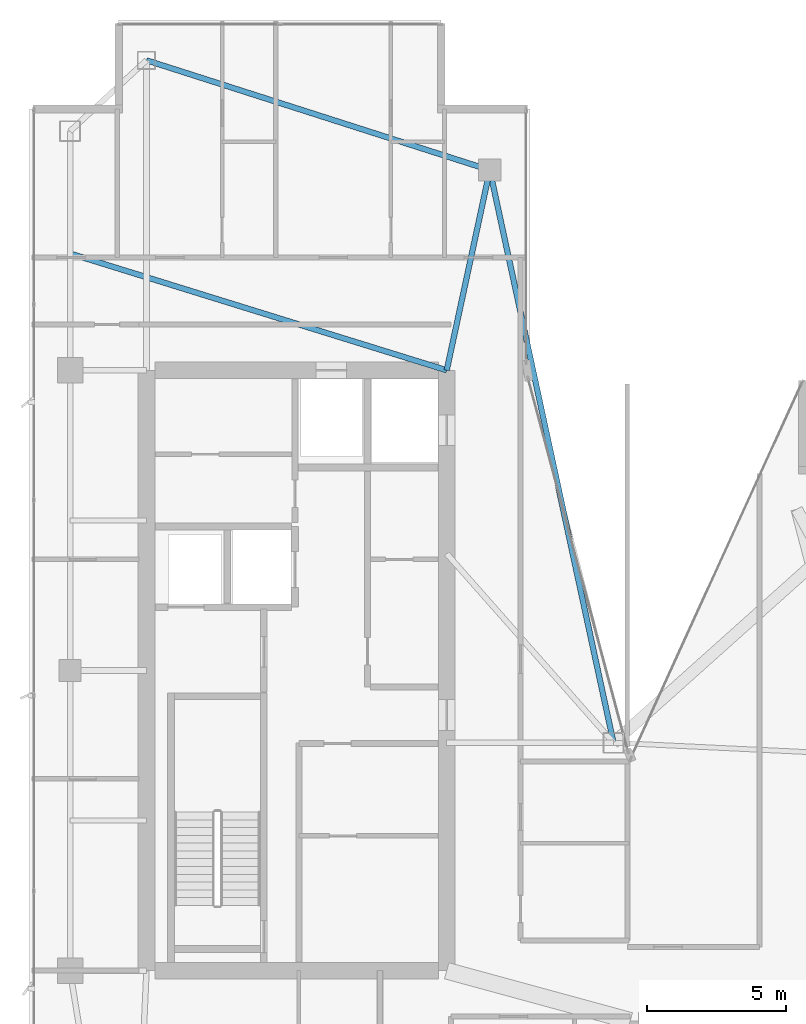
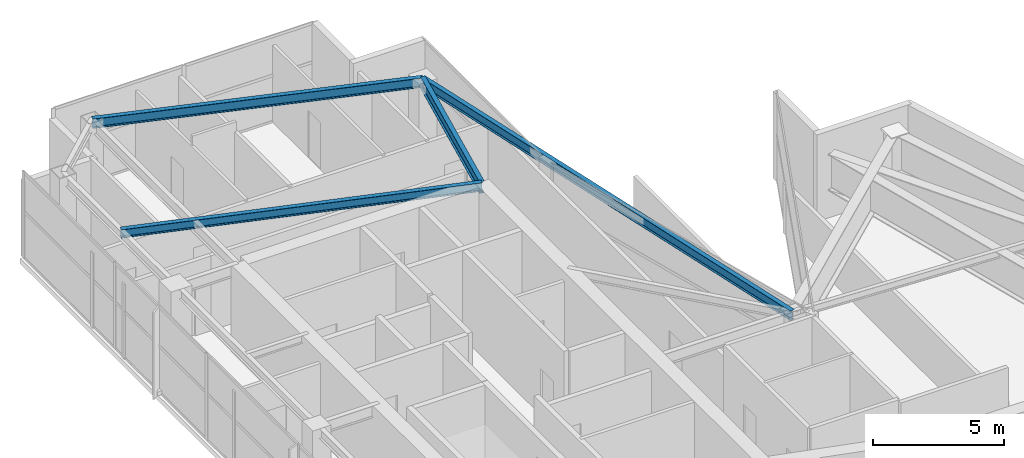
# One storey, part 17 of 26: 4 beams.
"""IFC4 building model written with IfcOpenShell, lengths in metres."""

from ifc_helpers import new_model, si_unit, direction, frame, origin, origin_2d, place, context, subcontext, project, spatial, i_section, extrude, material, material_profile, profile_set, type_object, element, save


model = new_model("IFC4")

# Units and contexts
model_context = context("Model", 3, precision=1e-05, world=origin(), true_north=direction((0.0, 1.0)))
body_context = subcontext(model_context, "Body", "Model", "MODEL_VIEW")
ifc_project = project(units=[si_unit("LENGTHUNIT", "METRE"), si_unit("AREAUNIT", "SQUARE_METRE"), si_unit("VOLUMEUNIT", "CUBIC_METRE"), si_unit("PLANEANGLEUNIT", "RADIAN"), si_unit("MASSUNIT", "GRAM", prefix="KILO")], contexts=[model_context])

# Site, building, storey
site_placement = place(None, origin())
site = spatial("IfcSite", under=ifc_project, at=site_placement, CompositionType="ELEMENT")
building_placement = place(site_placement, origin())
building = spatial("IfcBuilding", under=site, at=building_placement, Name="Calvorn Quay Hotel", CompositionType="ELEMENT")
storey_placement = place(building_placement, frame((0.0, 0.0, 302.5)))
storey = spatial("IfcBuildingStorey", under=building, at=storey_placement, Name="L75", CompositionType="ELEMENT", Elevation=302.5)

# Beams
ifc_material_1 = material(Name="Steel Q355B", Category="steel")
ifc_material_profile_1 = material_profile(ifc_material_1, i_section(OverallWidth=0.199951171875, OverallDepth=0.550048828125, WebThickness=0.010009765625, FlangeThickness=0.01611328125, FilletRadius=0.01806640625, at=origin_2d()), Name="HN550x200x10x16")
ifc_profile_set_1 = profile_set([ifc_material_profile_1], Name="Steel Q355B")
beam_type_1 = type_object("IfcBeamType", Name="BM-GIRD-UPP", PredefinedType="BEAM", material=ifc_profile_set_1)
beam_1_placement = place(storey_placement, frame((16.550048828125, 45.60009765625, 3.77490234375), z_axis=(-0.210457140491, -0.97760308511, 0.0), x_axis=(0.97760308511, -0.210457140491, 0.0)))
element("IfcBeam", 1, at=beam_1_placement, inside=storey, type_object=beam_type_1, Name="Beam BG-L75-W6", PredefinedType="BEAM", context=body_context, shape_type="SweptSolid", body=[
    extrude(i_section(OverallWidth=0.199951171875, OverallDepth=0.550048828125, WebThickness=0.010009765625, FlangeThickness=0.01611328125, FilletRadius=0.01806640625, at=origin_2d()), origin(), (0.0, 0.0, 1.0), 7.365234375),
])
ifc_material_2 = material(Name="Steel Q355B", Category="steel")
ifc_material_profile_2 = material_profile(ifc_material_2, i_section(OverallWidth=0.199951171875, OverallDepth=0.39990234375, WebThickness=0.008056640625, FlangeThickness=0.012939453125, FilletRadius=0.01611328125, at=origin_2d()), Name="HN400x200x8x13")
ifc_profile_set_2 = profile_set([ifc_material_profile_2], Name="Steel Q355B")
beam_type_2 = type_object("IfcBeamType", Name="BM-JOIST-TYP", PredefinedType="JOIST", material=ifc_profile_set_2)
beam_2_placement = place(storey_placement, frame((1.449951171875, 42.60009765625, 3.85009765625), z_axis=(0.955163702122, -0.296078202759, 0.0), x_axis=(0.296078202759, 0.955163702122, 0.0)))
element("IfcBeam", 2, at=beam_2_placement, inside=storey, type_object=beam_type_2, Name="Beam BJ-L75-W2", PredefinedType="JOIST", context=body_context, shape_type="SweptSolid", body=[
    extrude(i_section(OverallWidth=0.199951171875, OverallDepth=0.39990234375, WebThickness=0.008056640625, FlangeThickness=0.012939453125, FilletRadius=0.01611328125, at=origin_2d()), origin(), (0.0, 0.0, 1.0), 14.18603515625),
])
ifc_material_3 = material(Name="Steel Q355B", Category="steel")
ifc_material_profile_3 = material_profile(ifc_material_3, i_section(OverallWidth=0.199951171875, OverallDepth=0.449951171875, WebThickness=0.009033203125, FlangeThickness=0.013916015625, FilletRadius=0.01611328125, at=origin_2d()), Name="HN450x200x9x14")
ifc_profile_set_3 = profile_set([ifc_material_profile_3], Name="Steel Q355B")
beam_type_3 = type_object("IfcBeamType", Name="BM-SPANDREL-Z3", PredefinedType="SPANDREL", material=ifc_profile_set_3)
beam_3_placement = place(storey_placement, frame((4.199951171875, 49.550048828125, 3.824951171875), z_axis=(0.952470702374, -0.304630203885, 0.0), x_axis=(0.304630203885, 0.952470702374, 0.0)))
element("IfcBeam", 3, at=beam_3_placement, inside=storey, type_object=beam_type_3, Name="Beam BSP-L75-W6", PredefinedType="SPANDREL", context=body_context, shape_type="SweptSolid", body=[
    extrude(i_section(OverallWidth=0.199951171875, OverallDepth=0.449951171875, WebThickness=0.009033203125, FlangeThickness=0.013916015625, FilletRadius=0.01611328125, at=origin_2d()), origin(), (0.0, 0.0, 1.0), 12.96630859375),
])
beam_4_placement = place(storey_placement, frame((16.550048828125, 45.60009765625, 3.824951171875), z_axis=(0.211145848376, -0.977454567084, 0.0), x_axis=(0.977454567084, 0.211145848376, 0.0)))
element("IfcBeam", 4, at=beam_4_placement, inside=storey, type_object=beam_type_3, Name="Beam BSP-L75-W7", PredefinedType="SPANDREL", context=body_context, shape_type="SweptSolid", body=[
    extrude(i_section(OverallWidth=0.199951171875, OverallDepth=0.449951171875, WebThickness=0.009033203125, FlangeThickness=0.013916015625, FilletRadius=0.01611328125, at=origin_2d()), origin(), (0.0, 0.0, 1.0), 21.0751953125),
])

save(model, "model.ifc")
